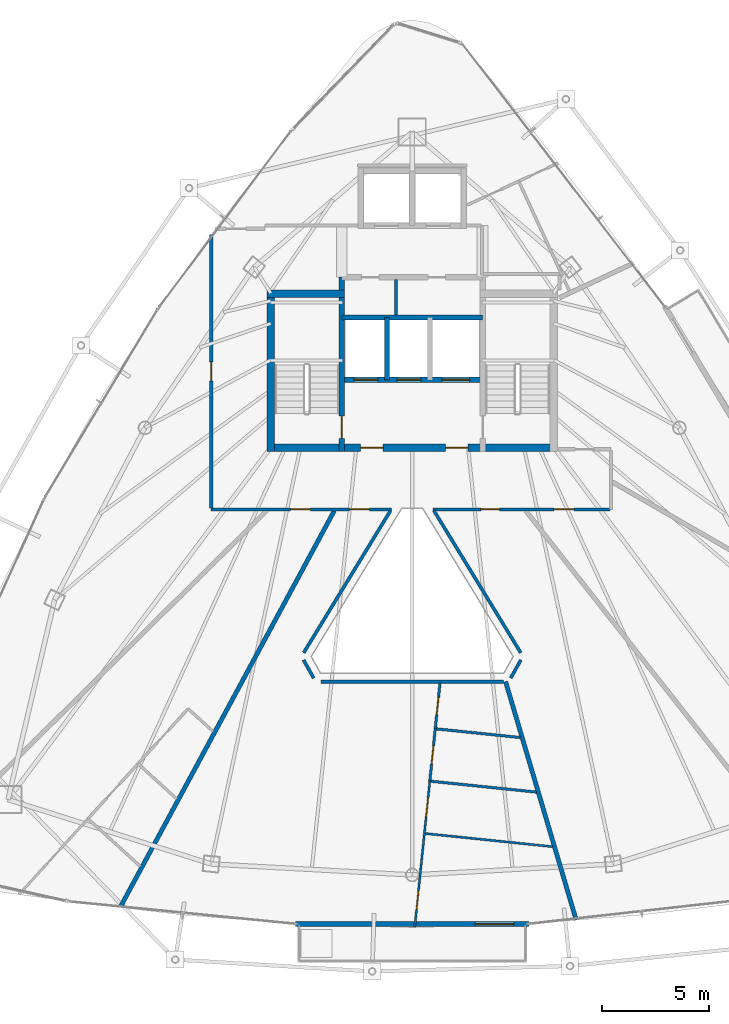
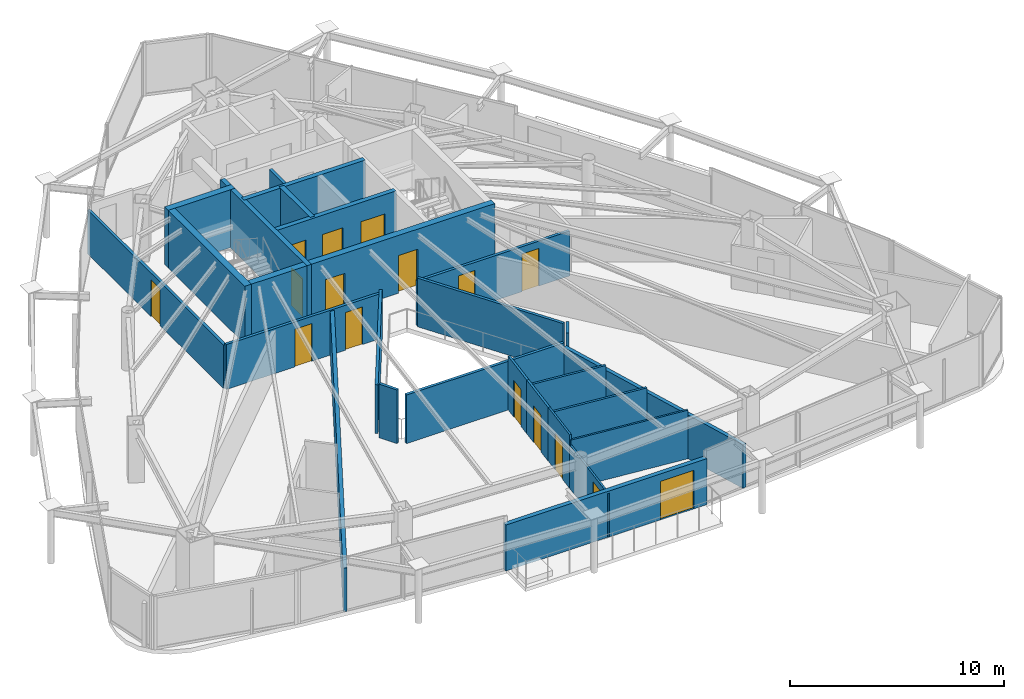
# One storey, part 29 of 34: 26 walls, 16 doors, 16 openings.
"""IFC4 building model written with IfcOpenShell, lengths in metres."""

import ifcopenshell
import ifcopenshell.guid

model = None  # the IFC model being written
_history = None  # IfcOwnerHistory: only IFC2X3 demands one
_inside = {}  # id of a spatial element -> (the spatial element, [elements in it])
_under = {}  # id of a project, library or spatial element -> (it, [spatial elements below it])
_declared = {}  # id of a project -> (the project, [libraries it declares])
_typed = {}  # id of a type object -> (the type object, [elements of that type])
_made_of = {}  # id of a material, layer set ... -> (it, [elements and type objects made of it])


def new_model(schema):
    """Start an empty IFC model of exactly this schema.

    Asked for "IFC4X3", IfcOpenShell would pick the latest addendum, in which some entities
    have other attributes; the version numbers below select the first issue.
    IFC2X3 requires an IfcOwnerHistory on every rooted entity: one is made here for all.
    """
    global model, _history
    if schema == "IFC4X3":
        model = ifcopenshell.file(schema_version=(4, 3, 0, 0))
    else:
        model = ifcopenshell.file(schema=schema)
    _inside.clear()
    _under.clear()
    _declared.clear()
    _typed.clear()
    _made_of.clear()
    _history = None
    if model.schema == "IFC2X3":
        org = make("IfcOrganization", Name="unknown")
        user = make(
            "IfcPersonAndOrganization",
            ThePerson=make("IfcPerson", FamilyName="unknown"),
            TheOrganization=org,
        )
        app = make(
            "IfcApplication",
            ApplicationDeveloper=org,
            Version="unknown",
            ApplicationFullName="unknown",
            ApplicationIdentifier="unknown",
        )
        _history = make(
            "IfcOwnerHistory",
            OwningUser=user,
            OwningApplication=app,
            ChangeAction="ADDED",
            CreationDate=0,
        )
    return model


def make(cls, **values):
    """One entity of the class cls with the attributes given. An attribute that is None is left unset."""
    return model.create_entity(
        cls, **{name: value for name, value in values.items() if value is not None}
    )


def rooted(cls, **values):
    """An entity with a GlobalId (a new one), such as an element, a storey or a relation."""
    return make(cls, GlobalId=ifcopenshell.guid.new(), OwnerHistory=_history, **values)


def si_unit(unit_type, name, prefix=None):
    """IfcSIUnit, for example si_unit("LENGTHUNIT", "METRE", prefix="MILLI")."""
    return make("IfcSIUnit", UnitType=unit_type, Prefix=prefix, Name=name)


def assignment(units):
    """IfcUnitAssignment: the units of a project."""
    return None if units is None else make("IfcUnitAssignment", Units=units)


def point(xyz):
    """IfcCartesianPoint."""
    return None if xyz is None else make("IfcCartesianPoint", Coordinates=xyz)


def direction(xyz):
    """IfcDirection."""
    return None if xyz is None else make("IfcDirection", DirectionRatios=xyz)


def frame(location, z_axis=None, x_axis=None):
    """IfcAxis2Placement3D, a coordinate frame: its origin and axes. An axis left out is left unset."""
    return make(
        "IfcAxis2Placement3D",
        Location=point(location),
        Axis=direction(z_axis),
        RefDirection=direction(x_axis),
    )


def frame_2d(location, x_axis=None):
    """IfcAxis2Placement2D, a coordinate frame in the plane: its origin and x axis."""
    return make(
        "IfcAxis2Placement2D", Location=point(location), RefDirection=direction(x_axis)
    )


def origin():
    """The frame at (0, 0, 0) with its axes left unset."""
    return frame((0.0, 0.0, 0.0))


def place(relative_to, where):
    """IfcLocalPlacement: puts the frame where relative to a parent placement (None: the world)."""
    return make(
        "IfcLocalPlacement", PlacementRelTo=relative_to, RelativePlacement=where
    )


def context(
    kind, dimensions, precision=None, world=None, true_north=None, identifier=None
):
    """IfcGeometricRepresentationContext, for example the 3D "Model" context."""
    return make(
        "IfcGeometricRepresentationContext",
        ContextIdentifier=identifier,
        ContextType=kind,
        CoordinateSpaceDimension=dimensions,
        Precision=precision,
        WorldCoordinateSystem=world,
        TrueNorth=true_north,
    )


def subcontext(parent, identifier, kind, view, scale=None):
    """IfcGeometricRepresentationSubContext, for example "Body" below "Model"."""
    return make(
        "IfcGeometricRepresentationSubContext",
        ContextIdentifier=identifier,
        ContextType=kind,
        ParentContext=parent,
        TargetScale=scale,
        TargetView=view,
    )


def project(units=None, contexts=None):
    """IfcProject with its units and contexts."""
    return rooted(
        "IfcProject",
        Name="project",
        RepresentationContexts=contexts,
        UnitsInContext=assignment(units),
    )


def spatial(cls, under=None, at=None, **own):
    """A site, building, storey or space (cls), placed at a placement, below another one or the project."""
    s = rooted(cls, ObjectPlacement=at, **own)
    if under is not None:
        _under.setdefault(under.id(), (under, []))[1].append(s)
    return s


def profile(cls, at=None, kind="AREA", **sizes):
    """A parametric profile (cls). Its sizes go by their IFC names, for example OverallWidth=200.0."""
    return make(cls, ProfileType=kind, Position=at, **sizes)


def rectangle(**sizes):
    """IfcRectangleProfileDef."""
    return profile("IfcRectangleProfileDef", **sizes)


def extrude(swept, where, along, depth):
    """IfcExtrudedAreaSolid: the profile swept, set in the frame where, extruded along a direction by depth."""
    return make(
        "IfcExtrudedAreaSolid",
        SweptArea=swept,
        Position=where,
        ExtrudedDirection=direction(along),
        Depth=depth,
    )


def shape(context_of_items, identifier, shape_type, items):
    """IfcShapeRepresentation: the items that make up one representation, for example the "Body"."""
    return make(
        "IfcShapeRepresentation",
        ContextOfItems=context_of_items,
        RepresentationIdentifier=identifier,
        RepresentationType=shape_type,
        Items=items,
    )


def material(Name=None, Category=None):
    """IfcMaterial."""
    return make("IfcMaterial", Name=Name, Category=Category)


def layer(
    of_material, thickness, ventilated=None, Name=None, Category=None, Priority=None
):
    """IfcMaterialLayer: one layer of a wall or slab, of a material (None: an air gap)."""
    return make(
        "IfcMaterialLayer",
        Material=of_material,
        LayerThickness=thickness,
        IsVentilated=ventilated,
        Name=Name,
        Category=Category,
        Priority=Priority,
    )


def layer_set(layers, Name=None):
    """IfcMaterialLayerSet."""
    return make("IfcMaterialLayerSet", MaterialLayers=layers, LayerSetName=Name)


def made_of(thing, what):
    """Note that an element or type object is made of a material, layer set ...; save() writes the relation."""
    if what is not None:
        _made_of.setdefault(what.id(), (what, []))[1].append(thing)
    return thing


def type_object(cls, material=None, **own):
    """A type object (cls), such as IfcWallType, which elements share."""
    return made_of(rooted(cls, **own), material)


def element(
    cls,
    number,
    at=None,
    inside=None,
    cuts=None,
    type_object=None,
    material=None,
    context=None,
    identifier="Body",
    shape_type=None,
    held_by="IfcProductDefinitionShape",
    body=None,
    shapes=None,
    **own,
):
    """One element of the class cls, such as IfcWall. Its Tag is "e" and its number.

    at: its placement. inside: the storey or other place that contains it. cuts: it is an
    opening in that element (IfcRelVoidsElement). A single representation is given by context,
    identifier, shape_type and body (its items); several are given by shapes. held_by: the class
    of the entity that holds the representations. save() writes the other relations.
    """
    e = rooted(cls, Tag="e%d" % number, ObjectPlacement=at, **own)
    if body is not None:
        shapes = [shape(context, identifier, shape_type, body)]
    if shapes is not None:
        e.Representation = make(held_by, Representations=shapes)
    if inside is not None:
        _inside.setdefault(inside.id(), (inside, []))[1].append(e)
    if cuts is not None:
        rooted(
            "IfcRelVoidsElement", RelatingBuildingElement=cuts, RelatedOpeningElement=e
        )
    if type_object is not None:
        _typed.setdefault(type_object.id(), (type_object, []))[1].append(e)
    return made_of(e, material)


def fill(opening, filler):
    """IfcRelFillsElement: the door or window that sits in an opening."""
    return rooted(
        "IfcRelFillsElement",
        RelatingOpeningElement=opening,
        RelatedBuildingElement=filler,
    )


def aggregate(whole, parts):
    """IfcRelAggregates: a whole, such as a stair, and the parts it consists of."""
    return rooted("IfcRelAggregates", RelatingObject=whole, RelatedObjects=parts)


def save(model, path):
    """Write the relations noted so far, then the file.

    IfcRelAggregates (storeys below a building ...), IfcRelContainedInSpatialStructure (elements
    in a storey), IfcRelDefinesByType, IfcRelAssociatesMaterial and IfcRelDeclares: one each for
    every whole, place, type object, material and project.
    """
    for whole, parts in _under.values():
        aggregate(whole, parts)
    for where, things in _inside.values():
        rooted(
            "IfcRelContainedInSpatialStructure",
            RelatedElements=things,
            RelatingStructure=where,
        )
    for kind, things in _typed.values():
        rooted("IfcRelDefinesByType", RelatedObjects=things, RelatingType=kind)
    for what, things in _made_of.values():
        rooted("IfcRelAssociatesMaterial", RelatedObjects=things, RelatingMaterial=what)
    for by, libraries in _declared.values():
        rooted("IfcRelDeclares", RelatingContext=by, RelatedDefinitions=libraries)
    model.write(path)


model = new_model("IFC4")

# Units and contexts
model_context = context("Model", 3, precision=1e-05, world=origin(), true_north=direction((0.0, 1.0)))
body_context = subcontext(model_context, "Body", "Model", "MODEL_VIEW")
ifc_project = project(units=[si_unit("LENGTHUNIT", "METRE"), si_unit("AREAUNIT", "SQUARE_METRE"), si_unit("VOLUMEUNIT", "CUBIC_METRE"), si_unit("PLANEANGLEUNIT", "RADIAN"), si_unit("MASSUNIT", "GRAM", prefix="KILO")], contexts=[model_context])

# Site, building, storey
site_placement = place(None, origin())
site = spatial("IfcSite", under=ifc_project, at=site_placement, CompositionType="ELEMENT")
building_placement = place(site_placement, origin())
building = spatial("IfcBuilding", under=site, at=building_placement, Name="Orvanel Arch Residences", CompositionType="ELEMENT")
storey_placement = place(building_placement, frame((0.0, 0.0, 203.0)))
storey = spatial("IfcBuildingStorey", under=building, at=storey_placement, Name="L57", CompositionType="ELEMENT", Elevation=203.0)

# Wall, opening, door
ifc_material_1 = material(Name="Precast concrete N50 (50 MPa)", Category="concrete")
ifc_layer_1 = layer(ifc_material_1, 0.239990234375)
ifc_layer_set_1 = layer_set([ifc_layer_1], Name="Precast concrete N50 (50 MPa)")
wall_type_1 = type_object("IfcWallType", Name="EW-BAL-240", PredefinedType="SOLIDWALL", material=ifc_layer_set_1)
wall_1_placement = place(storey_placement, frame((27.572998046875, 4.554931640625, 0.0), z_axis=(0.0, 0.0, 1.0), x_axis=(1.0, 0.0, 0.0)))
wall_1 = element("IfcWall", 1, at=wall_1_placement, inside=storey, type_object=wall_type_1, Name="L57 Balcony Threshold Wall Face 2", PredefinedType="SOLIDWALL", context=body_context, shape_type="SweptSolid", body=[
    extrude(rectangle(XDim=10.85400390625, YDim=0.239990234375, at=frame_2d((5.427001953125, 0.0))), origin(), (0.0, 0.0, 1.0), 2.6240234375),
])
opening_1_placement = place(wall_1_placement, frame((8.35498046875, 0.0, 0.0)))
opening_1 = element("IfcOpeningElement", 2, at=opening_1_placement, cuts=wall_1, Name="Opening DB-180", PredefinedType="OPENING", context=body_context, shape_type="SweptSolid", body=[
    extrude(rectangle(XDim=1.800048828125, YDim=2.199951171875, at=frame_2d((0.89990234375, 1.10009765625))), frame((0.0, 0.1298828125, 0.0), z_axis=(0.0, -1.0, 0.0), x_axis=(1.0, 0.0, 0.0)), (0.0, 0.0, 1.0), 0.260009765625),
])
ifc_material_2 = material(Name="Bronze-anodised aluminium AA6063-T6", Category="aluminium")
door_type_1 = type_object("IfcDoorType", Name="DR-BAL-1800", OperationType="NOTDEFINED", PredefinedType="DOOR", material=ifc_material_2)
door_1_placement = place(opening_1_placement, origin())
door_1 = element("IfcDoor", 3, at=door_1_placement, inside=storey, type_object=door_type_1, Name="DR-L57-BAL-F2 L57 Planted Balcony Access Door Face 2", OperationType="SINGLE_SWING_RIGHT", OverallHeight=2.199951171875, OverallWidth=1.800048828125, PredefinedType="DOOR", context=body_context, shape_type="SweptSolid", body=[
    extrude(rectangle(XDim=1.800048828125, YDim=2.199951171875, at=frame_2d((0.89990234375, 1.10009765625))), frame((0.0, 0.02490234375, 0.0), z_axis=(0.0, -1.0, 0.0), x_axis=(1.0, 0.0, 0.0)), (0.0, 0.0, 1.0), 0.050048828125),
])
fill(opening_1, door_1)

ifc_material_3 = material(Name="Concrete N50 (50 MPa)", Category="concrete")
ifc_layer_2 = layer(ifc_material_3, 0.25)
ifc_layer_set_2 = layer_set([ifc_layer_2], Name="Concrete N50 (50 MPa)")
wall_type_2 = type_object("IfcWallType", Name="SW-CORE-250", PredefinedType="SHEAR", material=ifc_layer_set_2)
wall_2_placement = place(storey_placement, frame((29.72509765625, 26.550048828125, 0.0), z_axis=(0.0, 0.0, 1.0), x_axis=(0.0, 1.0, 0.0)))
wall_2 = element("IfcWall", 4, at=wall_2_placement, inside=storey, type_object=wall_type_2, Name="L57 West Inner Core Spine Shear Wall", PredefinedType="SHEAR", context=body_context, shape_type="SweptSolid", body=[
    extrude(rectangle(XDim=8.099853515625, YDim=0.25, at=frame_2d((4.0498046875, 0.0))), origin(), (0.0, 0.0, 1.0), 3.300048828125),
])
opening_2_placement = place(wall_2_placement, frame((0.60009765625, 0.0, 0.0)))
opening_2 = element("IfcOpeningElement", 5, at=opening_2_placement, cuts=wall_2, Name="Opening DF-120", PredefinedType="OPENING", context=body_context, shape_type="SweptSolid", body=[
    extrude(rectangle(XDim=1.050048828125, YDim=2.14990234375, at=frame_2d((0.52490234375, 1.074951171875))), frame((0.0, 0.135009765625, 0.0), z_axis=(0.0, -1.0, 0.0), x_axis=(1.0, 0.0, 0.0)), (0.0, 0.0, 1.0), 0.27001953125),
])
ifc_material_4 = material(Name="Galvanised steel fire-resisting door assembly", Category="steel")
door_type_2 = type_object("IfcDoorType", Name="DR-FD120-1050", OperationType="NOTDEFINED", PredefinedType="DOOR", material=ifc_material_4)
door_2_placement = place(opening_2_placement, origin())
door_2 = element("IfcDoor", 6, at=door_2_placement, inside=storey, type_object=door_type_2, Name="DR-L57-ST1 L57 Stair 1 Fire Door", OperationType="SINGLE_SWING_LEFT", OverallHeight=2.14990234375, OverallWidth=1.050048828125, PredefinedType="DOOR", context=body_context, shape_type="SweptSolid", body=[
    extrude(rectangle(XDim=1.050048828125, YDim=2.14990234375, at=frame_2d((0.52490234375, 1.074951171875))), frame((0.0, 0.02490234375, 0.0), z_axis=(0.0, -1.0, 0.0), x_axis=(1.0, 0.0, 0.0)), (0.0, 0.0, 1.0), 0.050048828125),
])
fill(opening_2, door_2)

# Wall, openings, doors
wall_3_placement = place(storey_placement, frame((36.27490234375, 29.875, 0.0), z_axis=(0.0, 0.0, 1.0), x_axis=(-1.0, 0.0, 0.0)))
wall_3 = element("IfcWall", 7, at=wall_3_placement, inside=storey, type_object=wall_type_2, Name="L57 Emergency Lift Front Core Shear Wall", PredefinedType="SHEAR", context=body_context, shape_type="SweptSolid", body=[
    extrude(rectangle(XDim=6.5498046875, YDim=0.25, at=frame_2d((3.27490234375, 0.0))), origin(), (0.0, 0.0, 1.0), 3.300048828125),
])
opening_3_placement = place(wall_3_placement, frame((4.875, 0.0, 0.0)))
opening_3 = element("IfcOpeningElement", 8, at=opening_3_placement, cuts=wall_3, Name="Opening LD-110", PredefinedType="OPENING", context=body_context, shape_type="SweptSolid", body=[
    extrude(rectangle(XDim=1.10009765625, YDim=2.199951171875, at=frame_2d((0.550048828125, 1.10009765625))), frame((0.0, 0.135009765625, 0.0), z_axis=(0.0, -1.0, 0.0), x_axis=(1.0, 0.0, 0.0)), (0.0, 0.0, 1.0), 0.27001953125),
])
opening_4_placement = place(wall_3_placement, frame((2.875, 0.0, 0.0)))
opening_4 = element("IfcOpeningElement", 9, at=opening_4_placement, cuts=wall_3, Name="Opening LD-110", PredefinedType="OPENING", context=body_context, shape_type="SweptSolid", body=[
    extrude(rectangle(XDim=1.10009765625, YDim=2.199951171875, at=frame_2d((0.550048828125, 1.10009765625))), frame((0.0, 0.135009765625, 0.0), z_axis=(0.0, -1.0, 0.0), x_axis=(1.0, 0.0, 0.0)), (0.0, 0.0, 1.0), 0.27001953125),
])
opening_5_placement = place(wall_3_placement, frame((0.60009765625, 0.0, 0.0)))
opening_5 = element("IfcOpeningElement", 10, at=opening_5_placement, cuts=wall_3, Name="Opening LD-130", PredefinedType="OPENING", context=body_context, shape_type="SweptSolid", body=[
    extrude(rectangle(XDim=1.300048828125, YDim=2.199951171875, at=frame_2d((0.64990234375, 1.10009765625))), frame((0.0, 0.135009765625, 0.0), z_axis=(0.0, -1.0, 0.0), x_axis=(1.0, 0.0, 0.0)), (0.0, 0.0, 1.0), 0.27001953125),
])
door_type_3 = type_object("IfcDoorType", Name="DR-LFT-1100", OperationType="NOTDEFINED", PredefinedType="DOOR", material=ifc_material_4)
door_3_placement = place(opening_3_placement, origin())
door_3 = element("IfcDoor", 11, at=door_3_placement, inside=storey, type_object=door_type_3, Name="LD-F1-L57 L57 Lift F1 Sliding Landing Door", OperationType="DOUBLE_DOOR_SLIDING", OverallHeight=2.199951171875, OverallWidth=1.10009765625, PredefinedType="DOOR", context=body_context, shape_type="SweptSolid", body=[
    extrude(rectangle(XDim=1.10009765625, YDim=2.199951171875, at=frame_2d((0.550048828125, 1.10009765625))), frame((0.0, 0.02490234375, 0.0), z_axis=(0.0, -1.0, 0.0), x_axis=(1.0, 0.0, 0.0)), (0.0, 0.0, 1.0), 0.050048828125),
])
fill(opening_3, door_3)
door_4_placement = place(opening_4_placement, origin())
door_4 = element("IfcDoor", 12, at=door_4_placement, inside=storey, type_object=door_type_3, Name="LD-F2-L57 L57 Lift F2 Sliding Landing Door", OperationType="DOUBLE_DOOR_SLIDING", OverallHeight=2.199951171875, OverallWidth=1.10009765625, PredefinedType="DOOR", context=body_context, shape_type="SweptSolid", body=[
    extrude(rectangle(XDim=1.10009765625, YDim=2.199951171875, at=frame_2d((0.550048828125, 1.10009765625))), frame((0.0, 0.02490234375, 0.0), z_axis=(0.0, -1.0, 0.0), x_axis=(1.0, 0.0, 0.0)), (0.0, 0.0, 1.0), 0.050048828125),
])
fill(opening_4, door_4)
door_type_4 = type_object("IfcDoorType", Name="DR-LFT-1300", OperationType="NOTDEFINED", PredefinedType="DOOR", material=ifc_material_4)
door_5_placement = place(opening_5_placement, origin())
door_5 = element("IfcDoor", 13, at=door_5_placement, inside=storey, type_object=door_type_4, Name="LD-G1-L57 L57 Lift G1 Sliding Landing Door", OperationType="DOUBLE_DOOR_SLIDING", OverallHeight=2.199951171875, OverallWidth=1.300048828125, PredefinedType="DOOR", context=body_context, shape_type="SweptSolid", body=[
    extrude(rectangle(XDim=1.300048828125, YDim=2.199951171875, at=frame_2d((0.64990234375, 1.10009765625))), frame((0.0, 0.02490234375, 0.0), z_axis=(0.0, -1.0, 0.0), x_axis=(1.0, 0.0, 0.0)), (0.0, 0.0, 1.0), 0.050048828125),
])
fill(opening_5, door_5)

# Walls
wall_4_placement = place(storey_placement, frame((29.72509765625, 32.77490234375, 0.0), z_axis=(0.0, 0.0, 1.0), x_axis=(1.0, 0.0, 0.0)))
element("IfcWall", 14, at=wall_4_placement, inside=storey, type_object=wall_type_2, Name="L57 Emergency Lift Back Core Shear Wall", PredefinedType="SHEAR", context=body_context, shape_type="SweptSolid", body=[
    extrude(rectangle(XDim=6.5498046875, YDim=0.25, at=frame_2d((3.27490234375, 0.0))), origin(), (0.0, 0.0, 1.0), 3.300048828125),
])
wall_5_placement = place(storey_placement, frame((31.824951171875, 29.875, 0.0), z_axis=(0.0, 0.0, 1.0), x_axis=(0.0, 1.0, 0.0)))
element("IfcWall", 15, at=wall_5_placement, inside=storey, type_object=wall_type_2, Name="L57 Emergency Lift Inter-Shaft Wall F12", PredefinedType="SHEAR", context=body_context, shape_type="SweptSolid", body=[
    extrude(rectangle(XDim=2.89990234375, YDim=0.25, at=frame_2d((1.449951171875, 0.0))), origin(), (0.0, 0.0, 1.0), 3.300048828125),
])

# Wall, openings, doors
ifc_layer_3 = layer(ifc_material_3, 0.35009765625)
ifc_layer_set_3 = layer_set([ifc_layer_3], Name="Concrete N50 (50 MPa)")
wall_type_3 = type_object("IfcWallType", Name="SW-CORE-350", PredefinedType="SHEAR", material=ifc_layer_set_3)
wall_6_placement = place(storey_placement, frame((26.25, 26.72509765625, 0.0), z_axis=(0.0, 0.0, 1.0), x_axis=(1.0, 0.0, 0.0)))
wall_6 = element("IfcWall", 16, at=wall_6_placement, inside=storey, type_object=wall_type_3, Name="L57 South Core Shear Wall", PredefinedType="SHEAR", context=body_context, shape_type="SweptSolid", body=[
    extrude(rectangle(XDim=13.5, YDim=0.35009765625, at=frame_2d((6.75, 0.0))), origin(), (0.0, 0.0, 1.0), 3.300048828125),
])
opening_6_placement = place(wall_6_placement, frame((4.35009765625, 0.0, 0.0)))
opening_6 = element("IfcOpeningElement", 17, at=opening_6_placement, cuts=wall_6, Name="Opening DF-060", PredefinedType="OPENING", context=body_context, shape_type="SweptSolid", body=[
    extrude(rectangle(XDim=1.050048828125, YDim=2.14990234375, at=frame_2d((0.52490234375, 1.074951171875))), frame((0.0, 0.18505859375, 0.0), z_axis=(0.0, -1.0, 0.0), x_axis=(1.0, 0.0, 0.0)), (0.0, 0.0, 1.0), 0.3701171875),
])
opening_7_placement = place(wall_6_placement, frame((8.300048828125, 0.0, 0.0)))
opening_7 = element("IfcOpeningElement", 18, at=opening_7_placement, cuts=wall_6, Name="Opening DF-060", PredefinedType="OPENING", context=body_context, shape_type="SweptSolid", body=[
    extrude(rectangle(XDim=1.050048828125, YDim=2.14990234375, at=frame_2d((0.52490234375, 1.074951171875))), frame((0.0, 0.18505859375, 0.0), z_axis=(0.0, -1.0, 0.0), x_axis=(1.0, 0.0, 0.0)), (0.0, 0.0, 1.0), 0.3701171875),
])
door_type_5 = type_object("IfcDoorType", Name="DR-FD60-1050", OperationType="NOTDEFINED", PredefinedType="DOOR", material=ifc_material_4)
door_6_placement = place(opening_6_placement, origin())
door_6 = element("IfcDoor", 19, at=door_6_placement, inside=storey, type_object=door_type_5, Name="DR-L57-FFL-W L57 West Smoke Lobby Door", OperationType="SINGLE_SWING_LEFT", OverallHeight=2.14990234375, OverallWidth=1.050048828125, PredefinedType="DOOR", context=body_context, shape_type="SweptSolid", body=[
    extrude(rectangle(XDim=1.050048828125, YDim=2.14990234375, at=frame_2d((0.52490234375, 1.074951171875))), frame((0.0, 0.02490234375, 0.0), z_axis=(0.0, -1.0, 0.0), x_axis=(1.0, 0.0, 0.0)), (0.0, 0.0, 1.0), 0.050048828125),
])
fill(opening_6, door_6)
door_7_placement = place(opening_7_placement, origin())
door_7 = element("IfcDoor", 20, at=door_7_placement, inside=storey, type_object=door_type_5, Name="DR-L57-FFL-E L57 East Smoke Lobby Door", OperationType="SINGLE_SWING_RIGHT", OverallHeight=2.14990234375, OverallWidth=1.050048828125, PredefinedType="DOOR", context=body_context, shape_type="SweptSolid", body=[
    extrude(rectangle(XDim=1.050048828125, YDim=2.14990234375, at=frame_2d((0.52490234375, 1.074951171875))), frame((0.0, 0.02490234375, 0.0), z_axis=(0.0, -1.0, 0.0), x_axis=(1.0, 0.0, 0.0)), (0.0, 0.0, 1.0), 0.050048828125),
])
fill(opening_7, door_7)

# Walls
wall_7_placement = place(storey_placement, frame((26.425048828125, 26.550048828125, 0.0), z_axis=(0.0, 0.0, 1.0), x_axis=(0.0, 1.0, 0.0)))
element("IfcWall", 21, at=wall_7_placement, inside=storey, type_object=wall_type_3, Name="L57 West Stair Shear Wall", PredefinedType="SHEAR", context=body_context, shape_type="SweptSolid", body=[
    extrude(rectangle(XDim=7.5, YDim=0.35009765625, at=frame_2d((3.75, 0.0))), origin(), (0.0, 0.0, 1.0), 3.300048828125),
])
wall_8_placement = place(storey_placement, frame((26.25, 33.875, 0.0), z_axis=(0.0, 0.0, 1.0), x_axis=(1.0, 0.0, 0.0)))
element("IfcWall", 22, at=wall_8_placement, inside=storey, type_object=wall_type_3, Name="L57 West Stair North Shear Wall", PredefinedType="SHEAR", context=body_context, shape_type="SweptSolid", body=[
    extrude(rectangle(XDim=3.60009765625, YDim=0.35009765625, at=frame_2d((1.800048828125, 0.0))), origin(), (0.0, 0.0, 1.0), 3.300048828125),
])

# Wall, openings, doors
ifc_material_5 = material(Name="Fire-rated plasterboard lined steel stud partition", Category="steel")
ifc_layer_4 = layer(ifc_material_5, 0.14990234375)
ifc_layer_set_4 = layer_set([ifc_layer_4], Name="Fire-rated plasterboard lined steel stud partition")
wall_type_4 = type_object("IfcWallType", Name="W-COR-150", PredefinedType="PARTITIONING", material=ifc_layer_set_4)
wall_9_placement = place(storey_placement, frame((32.027099609375, 23.85009765625, 0.0), z_axis=(0.0, 0.0, 1.0), x_axis=(-1.0, 0.0, 0.0)))
wall_9 = element("IfcWall", 23, at=wall_9_placement, inside=storey, type_object=wall_type_4, Name="L57 Corridor Fire-Rated Partition", PredefinedType="PARTITIONING", context=body_context, shape_type="SweptSolid", body=[
    extrude(rectangle(XDim=8.377197265625, YDim=0.14990234375, at=frame_2d((4.1884765625, 0.0))), origin(), (0.0, 0.0, 1.0), 2.56494140625),
])
opening_8_placement = place(wall_9_placement, frame((1.013916015625, 0.0, 0.0)))
opening_8 = element("IfcOpeningElement", 24, at=opening_8_placement, cuts=wall_9, Name="Opening DA-092", PredefinedType="OPENING", context=body_context, shape_type="SweptSolid", body=[
    extrude(rectangle(XDim=0.919921875, YDim=2.14990234375, at=frame_2d((0.4599609375, 1.074951171875))), frame((0.0, 0.0849609375, 0.0), z_axis=(0.0, -1.0, 0.0), x_axis=(1.0, 0.0, 0.0)), (0.0, 0.0, 1.0), 0.169921875),
])
opening_9_placement = place(wall_9_placement, frame((3.762939453125, 0.0, 0.0)))
opening_9 = element("IfcOpeningElement", 25, at=opening_9_placement, cuts=wall_9, Name="Opening DA-092", PredefinedType="OPENING", context=body_context, shape_type="SweptSolid", body=[
    extrude(rectangle(XDim=0.919921875, YDim=2.14990234375, at=frame_2d((0.4599609375, 1.074951171875))), frame((0.0, 0.0849609375, 0.0), z_axis=(0.0, -1.0, 0.0), x_axis=(1.0, 0.0, 0.0)), (0.0, 0.0, 1.0), 0.169921875),
])
ifc_material_6 = material(Name="Solid-core European oak veneer fire door leaf", Category="wood")
door_type_6 = type_object("IfcDoorType", Name="DR-APT-920", OperationType="NOTDEFINED", PredefinedType="DOOR", material=ifc_material_6)
door_8_placement = place(opening_8_placement, origin())
door_8 = element("IfcDoor", 26, at=door_8_placement, inside=storey, type_object=door_type_6, Name="DR-L57-A-ENT L57 Studio A Entrance Door", OperationType="SINGLE_SWING_RIGHT", OverallHeight=2.14990234375, OverallWidth=0.919921875, PredefinedType="DOOR", context=body_context, shape_type="SweptSolid", body=[
    extrude(rectangle(XDim=0.919921875, YDim=2.14990234375, at=frame_2d((0.4599609375, 1.074951171875))), frame((0.0, 0.02490234375, 0.0), z_axis=(0.0, -1.0, 0.0), x_axis=(1.0, 0.0, 0.0)), (0.0, 0.0, 1.0), 0.050048828125),
])
fill(opening_8, door_8)
door_9_placement = place(opening_9_placement, origin())
door_9 = element("IfcDoor", 27, at=door_9_placement, inside=storey, type_object=door_type_6, Name="DR-L57-E-ENT L57 Flat E Entrance Door", OperationType="SINGLE_SWING_RIGHT", OverallHeight=2.14990234375, OverallWidth=0.919921875, PredefinedType="DOOR", context=body_context, shape_type="SweptSolid", body=[
    extrude(rectangle(XDim=0.919921875, YDim=2.14990234375, at=frame_2d((0.4599609375, 1.074951171875))), frame((0.0, 0.02490234375, 0.0), z_axis=(0.0, -1.0, 0.0), x_axis=(1.0, 0.0, 0.0)), (0.0, 0.0, 1.0), 0.050048828125),
])
fill(opening_9, door_9)

# Wall, opening, door
wall_10_placement = place(storey_placement, frame((23.64990234375, 23.909912109375, 0.0), z_axis=(0.0, 0.0, 1.0), x_axis=(0.0, 1.0, 0.0)))
wall_10 = element("IfcWall", 28, at=wall_10_placement, inside=storey, type_object=wall_type_4, Name="L57 Corridor Fire-Rated Partition", PredefinedType="PARTITIONING", context=body_context, shape_type="SweptSolid", body=[
    extrude(rectangle(XDim=12.715087890625, YDim=0.14990234375, at=frame_2d((6.357421875, 0.0))), origin(), (0.0, 0.0, 1.0), 2.491943359375),
])
opening_10_placement = place(wall_10_placement, frame((5.9169921875, 0.0, 0.0)))
opening_10 = element("IfcOpeningElement", 29, at=opening_10_placement, cuts=wall_10, Name="Opening DI-088", PredefinedType="OPENING", context=body_context, shape_type="SweptSolid", body=[
    extrude(rectangle(XDim=0.8798828125, YDim=2.10009765625, at=frame_2d((0.43994140625, 1.050048828125))), frame((0.0, 0.0849609375, 0.0), z_axis=(0.0, -1.0, 0.0), x_axis=(1.0, 0.0, 0.0)), (0.0, 0.0, 1.0), 0.169921875),
])
door_type_7 = type_object("IfcDoorType", Name="DR-INT-880", OperationType="NOTDEFINED", PredefinedType="DOOR", material=ifc_material_6)
door_10_placement = place(opening_10_placement, origin())
door_10 = element("IfcDoor", 30, at=door_10_placement, inside=storey, type_object=door_type_7, Name="DR-L57-SHRD-FB2 L57 Co-Working Study Office B Door", OperationType="SINGLE_SWING_LEFT", OverallHeight=2.10009765625, OverallWidth=0.8798828125, PredefinedType="DOOR", context=body_context, shape_type="SweptSolid", body=[
    extrude(rectangle(XDim=0.8798828125, YDim=2.10009765625, at=frame_2d((0.43994140625, 1.050048828125))), frame((0.0, 0.02490234375, 0.0), z_axis=(0.0, -1.0, 0.0), x_axis=(1.0, 0.0, 0.0)), (0.0, 0.0, 1.0), 0.050048828125),
])
fill(opening_10, door_10)

# Wall, openings, doors
wall_11_placement = place(storey_placement, frame((42.18994140625, 23.85009765625, 0.0), z_axis=(0.0, 0.0, 1.0), x_axis=(-1.0, 0.0, 0.0)))
wall_11 = element("IfcWall", 31, at=wall_11_placement, inside=storey, type_object=wall_type_4, Name="L57 Corridor Fire-Rated Partition", PredefinedType="PARTITIONING", context=body_context, shape_type="SweptSolid", body=[
    extrude(rectangle(XDim=8.217041015625, YDim=0.14990234375, at=frame_2d((4.1083984375, 0.0))), origin(), (0.0, 0.0, 1.0), 2.56494140625),
])
opening_11_placement = place(wall_11_placement, frame((1.669921875, 0.0, 0.0)))
opening_11 = element("IfcOpeningElement", 32, at=opening_11_placement, cuts=wall_11, Name="Opening DA-092", PredefinedType="OPENING", context=body_context, shape_type="SweptSolid", body=[
    extrude(rectangle(XDim=0.919921875, YDim=2.14990234375, at=frame_2d((0.4599609375, 1.074951171875))), frame((0.0, 0.0849609375, 0.0), z_axis=(0.0, -1.0, 0.0), x_axis=(1.0, 0.0, 0.0)), (0.0, 0.0, 1.0), 0.169921875),
])
opening_12_placement = place(wall_11_placement, frame((5.1201171875, 0.0, 0.0)))
opening_12 = element("IfcOpeningElement", 33, at=opening_12_placement, cuts=wall_11, Name="Opening DI-088", PredefinedType="OPENING", context=body_context, shape_type="SweptSolid", body=[
    extrude(rectangle(XDim=0.8798828125, YDim=2.10009765625, at=frame_2d((0.43994140625, 1.050048828125))), frame((0.0, 0.0849609375, 0.0), z_axis=(0.0, -1.0, 0.0), x_axis=(1.0, 0.0, 0.0)), (0.0, 0.0, 1.0), 0.169921875),
])
door_11_placement = place(opening_11_placement, origin())
door_11 = element("IfcDoor", 34, at=door_11_placement, inside=storey, type_object=door_type_6, Name="DR-L57-C-ENT L57 Studio C Entrance Door", OperationType="SINGLE_SWING_RIGHT", OverallHeight=2.14990234375, OverallWidth=0.919921875, PredefinedType="DOOR", context=body_context, shape_type="SweptSolid", body=[
    extrude(rectangle(XDim=0.919921875, YDim=2.14990234375, at=frame_2d((0.4599609375, 1.074951171875))), frame((0.0, 0.02490234375, 0.0), z_axis=(0.0, -1.0, 0.0), x_axis=(1.0, 0.0, 0.0)), (0.0, 0.0, 1.0), 0.050048828125),
])
fill(opening_11, door_11)
door_12_placement = place(opening_12_placement, origin())
door_12 = element("IfcDoor", 35, at=door_12_placement, inside=storey, type_object=door_type_7, Name="DR-L57-SHRD-FB4 L57 Co-Working Study Office D Door", OperationType="SINGLE_SWING_LEFT", OverallHeight=2.10009765625, OverallWidth=0.8798828125, PredefinedType="DOOR", context=body_context, shape_type="SweptSolid", body=[
    extrude(rectangle(XDim=0.8798828125, YDim=2.10009765625, at=frame_2d((0.43994140625, 1.050048828125))), frame((0.0, 0.02490234375, 0.0), z_axis=(0.0, -1.0, 0.0), x_axis=(1.0, 0.0, 0.0)), (0.0, 0.0, 1.0), 0.050048828125),
])
fill(opening_12, door_12)

# Walls
wall_12_placement = place(storey_placement, frame((34.010009765625, 23.7900390625, 0.0), z_axis=(0.0, 0.0, 1.0), x_axis=(0.521316137909, -0.853363629618, 0.0)))
element("IfcWall", 36, at=wall_12_placement, inside=storey, type_object=wall_type_4, Name="L57 Atrium Overlook Glazed Partition", PredefinedType="PARTITIONING", context=body_context, shape_type="SweptSolid", body=[
    extrude(rectangle(XDim=7.745849609375, YDim=0.14990234375, at=frame_2d((3.873046875, 0.0))), origin(), (0.0, 0.0, 1.0), 2.77294921875),
])
wall_13_placement = place(storey_placement, frame((38.053955078125, 16.843994140625, 0.0), z_axis=(0.0, 0.0, 1.0), x_axis=(-0.488810833005, -0.872389803664, 0.0)))
element("IfcWall", 37, at=wall_13_placement, inside=storey, type_object=wall_type_4, Name="L57 Atrium Overlook Glazed Partition", PredefinedType="PARTITIONING", context=body_context, shape_type="SweptSolid", body=[
    extrude(rectangle(XDim=0.967529296875, YDim=0.14990234375, at=frame_2d((0.48388671875, 0.0))), origin(), (0.0, 0.0, 1.0), 3.06005859375),
])
wall_14_placement = place(storey_placement, frame((37.2529296875, 15.827880859375, 0.0), z_axis=(0.0, 0.0, 1.0), x_axis=(-1.0, 0.0, 0.0)))
element("IfcWall", 38, at=wall_14_placement, inside=storey, type_object=wall_type_4, Name="L57 Atrium Overlook Glazed Partition", PredefinedType="PARTITIONING", context=body_context, shape_type="SweptSolid", body=[
    extrude(rectangle(XDim=8.505859375, YDim=0.14990234375, at=frame_2d((4.2529296875, 0.0))), origin(), (0.0, 0.0, 1.0), 2.77294921875),
])
wall_15_placement = place(storey_placement, frame((28.4189453125, 16.0, 0.0), z_axis=(0.0, 0.0, 1.0), x_axis=(-0.488810833005, 0.872389803664, 0.0)))
element("IfcWall", 39, at=wall_15_placement, inside=storey, type_object=wall_type_4, Name="L57 Atrium Overlook Glazed Partition", PredefinedType="PARTITIONING", context=body_context, shape_type="SweptSolid", body=[
    extrude(rectangle(XDim=0.967529296875, YDim=0.14990234375, at=frame_2d((0.48388671875, 0.0))), origin(), (0.0, 0.0, 1.0), 3.06005859375),
])
wall_16_placement = place(storey_placement, frame((27.951904296875, 17.179931640625, 0.0), z_axis=(0.0, 0.0, 1.0), x_axis=(0.521316137909, 0.853363629618, 0.0)))
element("IfcWall", 40, at=wall_16_placement, inside=storey, type_object=wall_type_4, Name="L57 Atrium Overlook Glazed Partition", PredefinedType="PARTITIONING", context=body_context, shape_type="SweptSolid", body=[
    extrude(rectangle(XDim=7.745849609375, YDim=0.14990234375, at=frame_2d((3.873046875, 0.0))), origin(), (0.0, 0.0, 1.0), 2.77294921875),
])
ifc_layer_5 = layer(ifc_material_5, 0.199951171875)
ifc_layer_set_5 = layer_set([ifc_layer_5], Name="Fire-rated plasterboard lined steel stud partition")
wall_type_5 = type_object("IfcWallType", Name="W-DEM-200", PredefinedType="PARTITIONING", material=ifc_layer_set_5)
wall_17_placement = place(storey_placement, frame((37.343017578125, 15.839111328125, 0.0), z_axis=(0.0, 0.0, 1.0), x_axis=(0.28399703203, -0.958825159139, 0.0)))
element("IfcWall", 41, at=wall_17_placement, inside=storey, type_object=wall_type_5, Name="L57 Inter-Tenancy Acoustic Demising Wall", PredefinedType="PARTITIONING", context=body_context, shape_type="SweptSolid", body=[
    extrude(rectangle(XDim=11.563232421875, YDim=0.199951171875, at=frame_2d((5.78173828125, 0.0))), origin(), (0.0, 0.0, 1.0), 2.491943359375),
])
wall_18_placement = place(storey_placement, frame((19.416015625, 5.337890625, 0.0), z_axis=(0.0, 0.0, 1.0), x_axis=(0.475065982754, 0.879950175879, 0.0)))
element("IfcWall", 42, at=wall_18_placement, inside=storey, type_object=wall_type_5, Name="L57 Inter-Tenancy Acoustic Demising Wall", PredefinedType="PARTITIONING", context=body_context, shape_type="SweptSolid", body=[
    extrude(rectangle(XDim=20.969482421875, YDim=0.199951171875, at=frame_2d((10.48486328125, 0.0))), origin(), (0.0, 0.0, 1.0), 2.491943359375),
])

# Wall, opening, door
ifc_material_7 = material(Name="Acoustic plasterboard lined twin-stud partition", Category="gypsum")
ifc_layer_6 = layer(ifc_material_7, 0.10009765625)
ifc_layer_set_6 = layer_set([ifc_layer_6], Name="Acoustic plasterboard lined twin-stud partition")
wall_type_6 = type_object("IfcWallType", Name="W-INT-100", PredefinedType="PARTITIONING", material=ifc_layer_set_6)
wall_19_placement = place(storey_placement, frame((33.568115234375, 8.77587890625, 0.0), z_axis=(0.0, 0.0, 1.0), x_axis=(-0.1029239069, -0.994689232569, 0.0)))
wall_19 = element("IfcWall", 43, at=wall_19_placement, inside=storey, type_object=wall_type_6, Name="L57 Studio A Internal Partition", PredefinedType="PARTITIONING", context=body_context, shape_type="SweptSolid", body=[
    extrude(rectangle(XDim=4.3740234375, YDim=0.10009765625, at=frame_2d((2.18701171875, 0.0))), origin(), (0.0, 0.0, 1.0), 2.491943359375),
])
opening_13_placement = place(wall_19_placement, frame((2.681884765625, 0.0, 0.0)))
opening_13 = element("IfcOpeningElement", 44, at=opening_13_placement, cuts=wall_19, Name="Opening DI-088", PredefinedType="OPENING", context=body_context, shape_type="SweptSolid", body=[
    extrude(rectangle(XDim=0.8798828125, YDim=2.10009765625, at=frame_2d((0.43994140625, 1.050048828125))), frame((0.0, 0.06005859375, 0.0), z_axis=(0.0, -1.0, 0.0), x_axis=(1.0, 0.0, 0.0)), (0.0, 0.0, 1.0), 0.1201171875),
])
door_13_placement = place(opening_13_placement, origin())
door_13 = element("IfcDoor", 45, at=door_13_placement, inside=storey, type_object=door_type_7, Name="DR-L57-A-RCP1 L57 Studio A Private Concierge Reception 1 Door", OperationType="SINGLE_SWING_LEFT", OverallHeight=2.10009765625, OverallWidth=0.8798828125, PredefinedType="DOOR", context=body_context, shape_type="SweptSolid", body=[
    extrude(rectangle(XDim=0.8798828125, YDim=2.10009765625, at=frame_2d((0.43994140625, 1.050048828125))), frame((0.0, 0.02490234375, 0.0), z_axis=(0.0, -1.0, 0.0), x_axis=(1.0, 0.0, 0.0)), (0.0, 0.0, 1.0), 0.050048828125),
])
fill(opening_13, door_13)

wall_20_placement = place(storey_placement, frame((33.820068359375, 11.2099609375, 0.0), z_axis=(0.0, 0.0, 1.0), x_axis=(-0.102960420087, -0.994685453747, 0.0)))
wall_20 = element("IfcWall", 46, at=wall_20_placement, inside=storey, type_object=wall_type_6, Name="L57 Studio A Internal Partition", PredefinedType="PARTITIONING", context=body_context, shape_type="SweptSolid", body=[
    extrude(rectangle(XDim=2.447021484375, YDim=0.10009765625, at=frame_2d((1.2236328125, 0.0))), origin(), (0.0, 0.0, 1.0), 3.06005859375),
])
opening_14_placement = place(wall_20_placement, frame((0.783935546875, 0.0, 0.0)))
opening_14 = element("IfcOpeningElement", 47, at=opening_14_placement, cuts=wall_20, Name="Opening DI-088", PredefinedType="OPENING", context=body_context, shape_type="SweptSolid", body=[
    extrude(rectangle(XDim=0.8798828125, YDim=2.10009765625, at=frame_2d((0.43994140625, 1.050048828125))), frame((0.0, 0.06005859375, 0.0), z_axis=(0.0, -1.0, 0.0), x_axis=(1.0, 0.0, 0.0)), (0.0, 0.0, 1.0), 0.1201171875),
])
door_14_placement = place(opening_14_placement, origin())
door_14 = element("IfcDoor", 48, at=door_14_placement, inside=storey, type_object=door_type_7, Name="DR-L57-A-RCP2 L57 Studio A Private Concierge Reception 2 Door", OperationType="SINGLE_SWING_LEFT", OverallHeight=2.10009765625, OverallWidth=0.8798828125, PredefinedType="DOOR", context=body_context, shape_type="SweptSolid", body=[
    extrude(rectangle(XDim=0.8798828125, YDim=2.10009765625, at=frame_2d((0.43994140625, 1.050048828125))), frame((0.0, 0.02490234375, 0.0), z_axis=(0.0, -1.0, 0.0), x_axis=(1.0, 0.0, 0.0)), (0.0, 0.0, 1.0), 0.050048828125),
])
fill(opening_14, door_14)

# Walls
wall_21_placement = place(storey_placement, frame((33.568115234375, 8.77587890625, 0.0), z_axis=(0.0, 0.0, 1.0), x_axis=(0.994686760155, -0.102947798284, 0.0)))
element("IfcWall", 49, at=wall_21_placement, inside=storey, type_object=wall_type_6, Name="L57 Studio A Internal Partition", PredefinedType="PARTITIONING", context=body_context, shape_type="SweptSolid", body=[
    extrude(rectangle(XDim=5.99267578125, YDim=0.10009765625, at=frame_2d((2.996337890625, 0.0))), origin(), (0.0, 0.0, 1.0), 2.77294921875),
])
ifc_layer_7 = layer(ifc_material_5, 0.14990234375)
ifc_layer_set_7 = layer_set([ifc_layer_7], Name="Fire-rated plasterboard lined steel stud partition")
wall_type_7 = type_object("IfcWallType", Name="W-ST-150", PredefinedType="PARTITIONING", material=ifc_layer_set_7)
wall_22_placement = place(storey_placement, frame((32.25, 32.885009765625, 0.0), z_axis=(0.0, 0.0, 1.0), x_axis=(0.0, 1.0, 0.0)))
element("IfcWall", 50, at=wall_22_placement, inside=storey, type_object=wall_type_7, Name="L57 Core Service Partition 1", PredefinedType="PARTITIONING", context=body_context, shape_type="SweptSolid", body=[
    extrude(rectangle(XDim=1.655029296875, YDim=0.14990234375, at=frame_2d((0.82763671875, 0.0))), origin(), (0.0, 0.0, 1.0), 3.06005859375),
])

# Wall, opening, door
ifc_layer_8 = layer(ifc_material_7, 0.1201171875)
ifc_layer_set_8 = layer_set([ifc_layer_8], Name="Acoustic plasterboard lined twin-stud partition")
wall_type_8 = type_object("IfcWallType", Name="W-WET-120", PredefinedType="PARTITIONING", material=ifc_layer_set_8)
wall_23_placement = place(storey_placement, frame((34.2919921875, 15.76806640625, 0.0), z_axis=(0.0, 0.0, 1.0), x_axis=(-0.103059151492, -0.994675229054, 0.0)))
wall_23 = element("IfcWall", 51, at=wall_23_placement, inside=storey, type_object=wall_type_8, Name="L57 Studio A Bathroom Partition", PredefinedType="PARTITIONING", context=body_context, shape_type="SweptSolid", body=[
    extrude(rectangle(XDim=2.134521484375, YDim=0.1201171875, at=frame_2d((1.0673828125, 0.0))), origin(), (0.0, 0.0, 1.0), 3.06005859375),
])
opening_15_placement = place(wall_23_placement, frame((0.656982421875, 0.0, 0.0)))
opening_15 = element("IfcOpeningElement", 52, at=opening_15_placement, cuts=wall_23, Name="Opening DW-082", PredefinedType="OPENING", context=body_context, shape_type="SweptSolid", body=[
    extrude(rectangle(XDim=0.820068359375, YDim=2.10009765625, at=frame_2d((0.41015625, 1.050048828125))), frame((0.0, 0.070068359375, 0.0), z_axis=(0.0, -1.0, 0.0), x_axis=(1.0, 0.0, 0.0)), (0.0, 0.0, 1.0), 0.14013671875),
])
door_type_8 = type_object("IfcDoorType", Name="DR-WET-820", OperationType="NOTDEFINED", PredefinedType="DOOR", material=ifc_material_6)
door_15_placement = place(opening_15_placement, origin())
door_15 = element("IfcDoor", 53, at=door_15_placement, inside=storey, type_object=door_type_8, Name="DR-L57-A-BATH L57 Studio A Bathroom Door", OperationType="SINGLE_SWING_RIGHT", OverallHeight=2.10009765625, OverallWidth=0.820068359375, PredefinedType="DOOR", context=body_context, shape_type="SweptSolid", body=[
    extrude(rectangle(XDim=0.820068359375, YDim=2.10009765625, at=frame_2d((0.41015625, 1.050048828125))), frame((0.0, 0.02490234375, 0.0), z_axis=(0.0, -1.0, 0.0), x_axis=(1.0, 0.0, 0.0)), (0.0, 0.0, 1.0), 0.050048828125),
])
fill(opening_15, door_15)

wall_24_placement = place(storey_placement, frame((34.072021484375, 13.64501953125, 0.0), z_axis=(0.0, 0.0, 1.0), x_axis=(-0.102919566026, -0.994689681724, 0.0)))
wall_24 = element("IfcWall", 54, at=wall_24_placement, inside=storey, type_object=wall_type_8, Name="L57 Studio A Internal Partition", PredefinedType="PARTITIONING", context=body_context, shape_type="SweptSolid", body=[
    extrude(rectangle(XDim=2.447998046875, YDim=0.1201171875, at=frame_2d((1.22412109375, 0.0))), origin(), (0.0, 0.0, 1.0), 3.06005859375),
])
opening_16_placement = place(wall_24_placement, frame((0.783935546875, 0.0, 0.0)))
opening_16 = element("IfcOpeningElement", 55, at=opening_16_placement, cuts=wall_24, Name="Opening DI-088", PredefinedType="OPENING", context=body_context, shape_type="SweptSolid", body=[
    extrude(rectangle(XDim=0.8798828125, YDim=2.10009765625, at=frame_2d((0.43994140625, 1.050048828125))), frame((0.0, 0.070068359375, 0.0), z_axis=(0.0, -1.0, 0.0), x_axis=(1.0, 0.0, 0.0)), (0.0, 0.0, 1.0), 0.14013671875),
])
door_16_placement = place(opening_16_placement, origin())
door_16 = element("IfcDoor", 56, at=door_16_placement, inside=storey, type_object=door_type_7, Name="DR-L57-A-KIT L57 Studio A Kitchenette Door", OperationType="SINGLE_SWING_LEFT", OverallHeight=2.10009765625, OverallWidth=0.8798828125, PredefinedType="DOOR", context=body_context, shape_type="SweptSolid", body=[
    extrude(rectangle(XDim=0.8798828125, YDim=2.10009765625, at=frame_2d((0.43994140625, 1.050048828125))), frame((0.0, 0.02490234375, 0.0), z_axis=(0.0, -1.0, 0.0), x_axis=(1.0, 0.0, 0.0)), (0.0, 0.0, 1.0), 0.050048828125),
])
fill(opening_16, door_16)

# Walls
wall_25_placement = place(storey_placement, frame((38.02490234375, 13.236083984375, 0.0), z_axis=(0.0, 0.0, 1.0), x_axis=(-0.99469136016, 0.102903343108, 0.0)))
element("IfcWall", 57, at=wall_25_placement, inside=storey, type_object=wall_type_8, Name="L57 Studio A Bathroom Partition", PredefinedType="PARTITIONING", context=body_context, shape_type="SweptSolid", body=[
    extrude(rectangle(XDim=3.973876953125, YDim=0.1201171875, at=frame_2d((1.98681640625, 0.0))), origin(), (0.0, 0.0, 1.0), 2.77294921875),
])
wall_26_placement = place(storey_placement, frame((38.777099609375, 10.697998046875, 0.0), z_axis=(0.0, 0.0, 1.0), x_axis=(-0.994708898019, 0.102733676081, 0.0)))
element("IfcWall", 58, at=wall_26_placement, inside=storey, type_object=wall_type_8, Name="L57 Studio A Internal Partition", PredefinedType="PARTITIONING", context=body_context, shape_type="SweptSolid", body=[
    extrude(rectangle(XDim=4.9833984375, YDim=0.1201171875, at=frame_2d((2.49169921875, 0.0))), origin(), (0.0, 0.0, 1.0), 2.77294921875),
])

save(model, "model.ifc")
